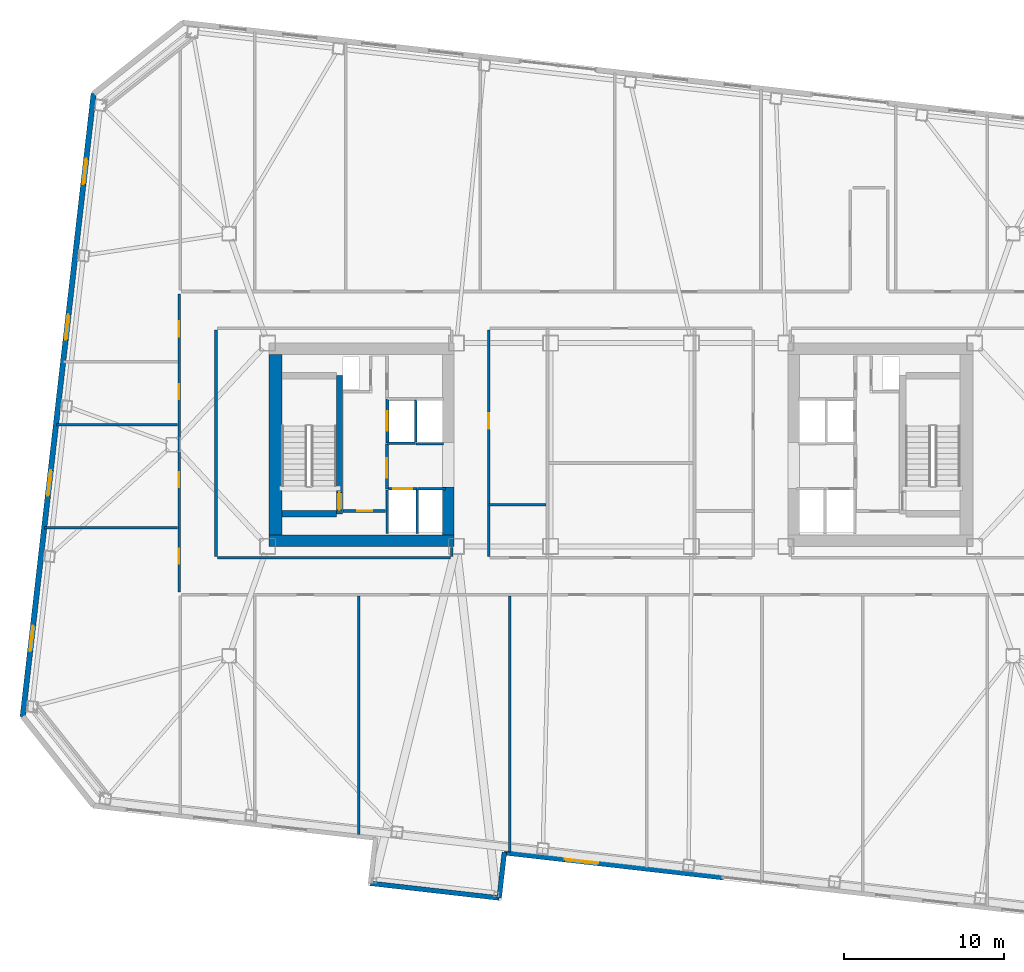
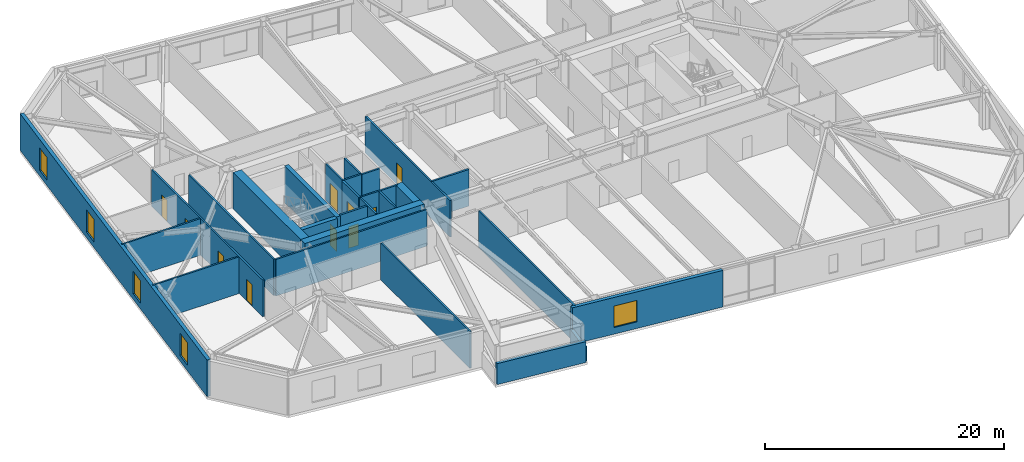
# One storey, part 10 of 19: 29 walls, 10 doors, 5 windows, 15 openings.
"""IFC4 building model written with IfcOpenShell, lengths in metres."""

from ifc_helpers import new_model, si_unit, direction, frame, frame_2d, origin, place, context, subcontext, project, spatial, rectangle, extrude, material, layer, layer_set, type_object, element, fill, save


model = new_model("IFC4")

# Units and contexts
model_context = context("Model", 3, precision=1e-05, world=origin(), true_north=direction((0.0, 1.0)))
body_context = subcontext(model_context, "Body", "Model", "MODEL_VIEW")
ifc_project = project(units=[si_unit("LENGTHUNIT", "METRE"), si_unit("AREAUNIT", "SQUARE_METRE"), si_unit("VOLUMEUNIT", "CUBIC_METRE"), si_unit("PLANEANGLEUNIT", "RADIAN"), si_unit("MASSUNIT", "GRAM", prefix="KILO")], contexts=[model_context])

# Site, building, storey
site_placement = place(None, origin())
site = spatial("IfcSite", under=ifc_project, at=site_placement, CompositionType="ELEMENT")
building_placement = place(site_placement, origin())
building = spatial("IfcBuilding", under=site, at=building_placement, Name="Tavrogorsk Clinical Tower", CompositionType="ELEMENT")
storey_placement = place(building_placement, frame((0.0, 0.0, 97.39990234375)))
storey = spatial("IfcBuildingStorey", under=building, at=storey_placement, Name="L21", CompositionType="ELEMENT", Elevation=97.39990234375)

# Wall, opening, door
ifc_material_1 = material(Name="Concrete B60", Category="concrete")
ifc_layer_1 = layer(ifc_material_1, 0.199951171875)
ifc_layer_set_1 = layer_set([ifc_layer_1], Name="Concrete B60")
wall_type_1 = type_object("IfcWallType", Name="CoreFireWall_200", PredefinedType="SOLIDWALL", material=ifc_layer_set_1)
wall_1_placement = place(storey_placement, frame((-17.3798828125, -4.139892578125, 0.0), z_axis=(0.0, 0.0, 1.0), x_axis=(1.0, 0.0, 0.0)))
wall_1 = element("IfcWall", 1, at=wall_1_placement, inside=storey, type_object=wall_type_1, Name="L21 Core West South Core Room Fire Wall", PredefinedType="SOLIDWALL", context=body_context, shape_type="SweptSolid", body=[
    extrude(rectangle(XDim=2.659912109375, YDim=0.199951171875, at=frame_2d((1.330078125, 0.0))), origin(), (0.0, 0.0, 1.0), 3.739990234375),
])
opening_1_placement = place(wall_1_placement, frame((0.8798828125, 0.0, 0.0)))
opening_1 = element("IfcOpeningElement", 2, at=opening_1_placement, cuts=wall_1, Name="Opening ID-02", PredefinedType="OPENING", context=body_context, shape_type="SweptSolid", body=[
    extrude(rectangle(XDim=0.949951171875, YDim=2.199951171875, at=frame_2d((0.47509765625, 1.10009765625))), frame((0.0, 0.10986328125, 0.0), z_axis=(0.0, -1.0, 0.0), x_axis=(1.0, 0.0, 0.0)), (0.0, 0.0, 1.0), 0.219970703125),
])
ifc_material_2 = material(Name="Laminated timber leaf on aluminium frame", Category="wood")
door_type_1 = type_object("IfcDoorType", Name="InteriorDoor_ID02_950", OperationType="NOTDEFINED", PredefinedType="DOOR", material=ifc_material_2)
door_1_placement = place(opening_1_placement, origin())
door_1 = element("IfcDoor", 3, at=door_1_placement, inside=storey, type_object=door_type_1, Name="L21 Core West South Core Room Door", OperationType="SINGLE_SWING_RIGHT", OverallHeight=2.199951171875, OverallWidth=0.949951171875, PredefinedType="DOOR", context=body_context, shape_type="SweptSolid", body=[
    extrude(rectangle(XDim=0.949951171875, YDim=2.199951171875, at=frame_2d((0.47509765625, 1.10009765625))), frame((0.0, 0.02490234375, 0.0), z_axis=(0.0, -1.0, 0.0), x_axis=(1.0, 0.0, 0.0)), (0.0, 0.0, 1.0), 0.050048828125),
])
fill(opening_1, door_1)

wall_2_placement = place(storey_placement, frame((-14.639892578125, -2.780029296875, 0.0), z_axis=(0.0, 0.0, 1.0), x_axis=(0.0, 1.0, 0.0)))
wall_2 = element("IfcWall", 4, at=wall_2_placement, inside=storey, type_object=wall_type_1, Name="L21 Core West Firefighting Lobby Fire Wall", PredefinedType="SOLIDWALL", context=body_context, shape_type="SweptSolid", body=[
    extrude(rectangle(XDim=2.820068359375, YDim=0.199951171875, at=frame_2d((1.41015625, 0.0))), origin(), (0.0, 0.0, 1.0), 3.739990234375),
])
opening_2_placement = place(wall_2_placement, frame((0.72998046875, 0.0, 0.0)))
opening_2 = element("IfcOpeningElement", 5, at=opening_2_placement, cuts=wall_2, Name="Opening FD-01", PredefinedType="OPENING", context=body_context, shape_type="SweptSolid", body=[
    extrude(rectangle(XDim=1.199951171875, YDim=2.199951171875, at=frame_2d((0.60009765625, 1.10009765625))), frame((0.0, 0.10986328125, 0.0), z_axis=(0.0, -1.0, 0.0), x_axis=(1.0, 0.0, 0.0)), (0.0, 0.0, 1.0), 0.219970703125),
])
ifc_material_3 = material(Name="Galvanised steel fire-rated door assembly", Category="steel")
door_type_2 = type_object("IfcDoorType", Name="FireDoor_FD01_1200", OperationType="NOTDEFINED", PredefinedType="DOOR", material=ifc_material_3)
door_2_placement = place(opening_2_placement, origin())
door_2 = element("IfcDoor", 6, at=door_2_placement, inside=storey, type_object=door_type_2, Name="L21 Core West Firefighting Lobby Entry Door", OperationType="SINGLE_SWING_RIGHT", OverallHeight=2.199951171875, OverallWidth=1.199951171875, PredefinedType="DOOR", context=body_context, shape_type="SweptSolid", body=[
    extrude(rectangle(XDim=1.199951171875, YDim=2.199951171875, at=frame_2d((0.60009765625, 1.10009765625))), frame((0.0, 0.02490234375, 0.0), z_axis=(0.0, -1.0, 0.0), x_axis=(1.0, 0.0, 0.0)), (0.0, 0.0, 1.0), 0.050048828125),
])
fill(opening_2, door_2)

# Wall, openings, doors
ifc_material_4 = material(Name="Lightweight concrete blockwork B15", Category="masonry")
ifc_layer_2 = layer(ifc_material_4, 0.159912109375)
ifc_layer_set_2 = layer_set([ifc_layer_2], Name="Lightweight concrete blockwork B15")
wall_type_2 = type_object("IfcWallType", Name="PartitionWall_160", PredefinedType="PARTITIONING", material=ifc_layer_set_2)
wall_3_placement = place(storey_placement, frame((-27.6298828125, -9.215087890625, 0.0), z_axis=(0.0, 0.0, 1.0), x_axis=(0.0, 1.0, 0.0)))
wall_3 = element("IfcWall", 7, at=wall_3_placement, inside=storey, type_object=wall_type_2, Name="L21 Corridor Partition 01", PredefinedType="PARTITIONING", context=body_context, shape_type="SweptSolid", body=[
    extrude(rectangle(XDim=18.630126953125, YDim=0.159912109375, at=frame_2d((9.31494140625, 0.0))), origin(), (0.0, 0.0, 1.0), 3.739990234375),
])
opening_3_placement = place(wall_3_placement, frame((1.76904296875, 0.0, 0.0)))
opening_3 = element("IfcOpeningElement", 8, at=opening_3_placement, cuts=wall_3, Name="Opening ID-02", PredefinedType="OPENING", context=body_context, shape_type="SweptSolid", body=[
    extrude(rectangle(XDim=0.949951171875, YDim=2.199951171875, at=frame_2d((0.47509765625, 1.10009765625))), frame((0.0, 0.08984375, 0.0), z_axis=(0.0, -1.0, 0.0), x_axis=(1.0, 0.0, 0.0)), (0.0, 0.0, 1.0), 0.179931640625),
])
opening_4_placement = place(wall_3_placement, frame((6.550048828125, 0.0, 0.0)))
opening_4 = element("IfcOpeningElement", 9, at=opening_4_placement, cuts=wall_3, Name="Opening ID-02", PredefinedType="OPENING", context=body_context, shape_type="SweptSolid", body=[
    extrude(rectangle(XDim=0.949951171875, YDim=2.199951171875, at=frame_2d((0.47509765625, 1.10009765625))), frame((0.0, 0.08984375, 0.0), z_axis=(0.0, -1.0, 0.0), x_axis=(1.0, 0.0, 0.0)), (0.0, 0.0, 1.0), 0.179931640625),
])
opening_5_placement = place(wall_3_placement, frame((12.050048828125, 0.0, 0.0)))
opening_5 = element("IfcOpeningElement", 10, at=opening_5_placement, cuts=wall_3, Name="Opening ID-02", PredefinedType="OPENING", context=body_context, shape_type="SweptSolid", body=[
    extrude(rectangle(XDim=0.949951171875, YDim=2.199951171875, at=frame_2d((0.47509765625, 1.10009765625))), frame((0.0, 0.08984375, 0.0), z_axis=(0.0, -1.0, 0.0), x_axis=(1.0, 0.0, 0.0)), (0.0, 0.0, 1.0), 0.179931640625),
])
opening_6_placement = place(wall_3_placement, frame((15.98095703125, 0.0, 0.0)))
opening_6 = element("IfcOpeningElement", 11, at=opening_6_placement, cuts=wall_3, Name="Opening ID-02", PredefinedType="OPENING", context=body_context, shape_type="SweptSolid", body=[
    extrude(rectangle(XDim=0.949951171875, YDim=2.199951171875, at=frame_2d((0.47509765625, 1.10009765625))), frame((0.0, 0.08984375, 0.0), z_axis=(0.0, -1.0, 0.0), x_axis=(1.0, 0.0, 0.0)), (0.0, 0.0, 1.0), 0.179931640625),
])
door_3_placement = place(opening_3_placement, origin())
door_3 = element("IfcDoor", 12, at=door_3_placement, inside=storey, type_object=door_type_1, Name="L21 W Solarium Day Room & Lounge 1 Door", OperationType="SINGLE_SWING_LEFT", OverallHeight=2.199951171875, OverallWidth=0.949951171875, PredefinedType="DOOR", context=body_context, shape_type="SweptSolid", body=[
    extrude(rectangle(XDim=0.949951171875, YDim=2.199951171875, at=frame_2d((0.47509765625, 1.10009765625))), frame((0.0, 0.02490234375, 0.0), z_axis=(0.0, -1.0, 0.0), x_axis=(1.0, 0.0, 0.0)), (0.0, 0.0, 1.0), 0.050048828125),
])
fill(opening_3, door_3)
door_4_placement = place(opening_4_placement, origin())
door_4 = element("IfcDoor", 13, at=door_4_placement, inside=storey, type_object=door_type_1, Name="L21 W Rehabilitation Therapy Suite 2 Door", OperationType="SINGLE_SWING_RIGHT", OverallHeight=2.199951171875, OverallWidth=0.949951171875, PredefinedType="DOOR", context=body_context, shape_type="SweptSolid", body=[
    extrude(rectangle(XDim=0.949951171875, YDim=2.199951171875, at=frame_2d((0.47509765625, 1.10009765625))), frame((0.0, 0.02490234375, 0.0), z_axis=(0.0, -1.0, 0.0), x_axis=(1.0, 0.0, 0.0)), (0.0, 0.0, 1.0), 0.050048828125),
])
fill(opening_4, door_4)
door_5_placement = place(opening_5_placement, origin())
door_5 = element("IfcDoor", 14, at=door_5_placement, inside=storey, type_object=door_type_1, Name="L21 W Sub-Acute Observation Suite 3 Door", OperationType="SINGLE_SWING_LEFT", OverallHeight=2.199951171875, OverallWidth=0.949951171875, PredefinedType="DOOR", context=body_context, shape_type="SweptSolid", body=[
    extrude(rectangle(XDim=0.949951171875, YDim=2.199951171875, at=frame_2d((0.47509765625, 1.10009765625))), frame((0.0, 0.02490234375, 0.0), z_axis=(0.0, -1.0, 0.0), x_axis=(1.0, 0.0, 0.0)), (0.0, 0.0, 1.0), 0.050048828125),
])
fill(opening_5, door_5)
door_6_placement = place(opening_6_placement, origin())
door_6 = element("IfcDoor", 15, at=door_6_placement, inside=storey, type_object=door_type_1, Name="L21 W Family Consultation Lounge 4 Door", OperationType="SINGLE_SWING_RIGHT", OverallHeight=2.199951171875, OverallWidth=0.949951171875, PredefinedType="DOOR", context=body_context, shape_type="SweptSolid", body=[
    extrude(rectangle(XDim=0.949951171875, YDim=2.199951171875, at=frame_2d((0.47509765625, 1.10009765625))), frame((0.0, 0.02490234375, 0.0), z_axis=(0.0, -1.0, 0.0), x_axis=(1.0, 0.0, 0.0)), (0.0, 0.0, 1.0), 0.050048828125),
])
fill(opening_6, door_6)

# Wall, opening, door
wall_4_placement = place(storey_placement, frame((-8.27001953125, 7.18505859375, 0.0), z_axis=(0.0, 0.0, 1.0), x_axis=(0.0, -1.0, 0.0)))
wall_4 = element("IfcWall", 16, at=wall_4_placement, inside=storey, type_object=wall_type_2, Name="L21 Corridor Partition 16", PredefinedType="PARTITIONING", context=body_context, shape_type="SweptSolid", body=[
    extrude(rectangle(XDim=14.170166015625, YDim=0.159912109375, at=frame_2d((7.0849609375, 0.0))), origin(), (0.0, 0.0, 1.0), 3.739990234375),
])
opening_7_placement = place(wall_4_placement, frame((5.22900390625, 0.0, 0.0)))
opening_7 = element("IfcOpeningElement", 17, at=opening_7_placement, cuts=wall_4, Name="Opening ID-02", PredefinedType="OPENING", context=body_context, shape_type="SweptSolid", body=[
    extrude(rectangle(XDim=0.949951171875, YDim=2.199951171875, at=frame_2d((0.47509765625, 1.10009765625))), frame((0.0, 0.08984375, 0.0), z_axis=(0.0, -1.0, 0.0), x_axis=(1.0, 0.0, 0.0)), (0.0, 0.0, 1.0), 0.179931640625),
])
door_7_placement = place(opening_7_placement, origin())
door_7 = element("IfcDoor", 18, at=door_7_placement, inside=storey, type_object=door_type_1, Name="L21 Ward Nourishment Pantry Door", OperationType="SINGLE_SWING_RIGHT", OverallHeight=2.199951171875, OverallWidth=0.949951171875, PredefinedType="DOOR", context=body_context, shape_type="SweptSolid", body=[
    extrude(rectangle(XDim=0.949951171875, YDim=2.199951171875, at=frame_2d((0.47509765625, 1.10009765625))), frame((0.0, 0.02490234375, 0.0), z_axis=(0.0, -1.0, 0.0), x_axis=(1.0, 0.0, 0.0)), (0.0, 0.0, 1.0), 0.050048828125),
])
fill(opening_7, door_7)

# Walls
wall_5_placement = place(storey_placement, frame((-10.580078125, -6.985107421875, 0.0), z_axis=(0.0, 0.0, 1.0), x_axis=(0.0, 1.0, 0.0)))
element("IfcWall", 19, at=wall_5_placement, inside=storey, type_object=wall_type_2, Name="L21 Corridor Partition 18", PredefinedType="PARTITIONING", context=body_context, shape_type="SweptSolid", body=[
    extrude(rectangle(XDim=0.565185546875, YDim=0.159912109375, at=frame_2d((0.28271484375, 0.0))), origin(), (0.0, 0.0, 1.0), 1.53515625),
])
wall_6_placement = place(storey_placement, frame((-25.320068359375, 7.18505859375, 0.0), z_axis=(0.0, 0.0, 1.0), x_axis=(0.0, -1.0, 0.0)))
element("IfcWall", 20, at=wall_6_placement, inside=storey, type_object=wall_type_2, Name="L21 Corridor Partition 21", PredefinedType="PARTITIONING", context=body_context, shape_type="SweptSolid", body=[
    extrude(rectangle(XDim=14.170166015625, YDim=0.159912109375, at=frame_2d((7.0849609375, 0.0))), origin(), (0.0, 0.0, 1.0), 3.739990234375),
])
wall_7_placement = place(storey_placement, frame((-25.235107421875, -7.070068359375, 0.0), z_axis=(0.0, 0.0, 1.0), x_axis=(1.0, 0.0, 0.0)))
element("IfcWall", 21, at=wall_7_placement, inside=storey, type_object=wall_type_2, Name="L21 Corridor Partition 22", PredefinedType="PARTITIONING", context=body_context, shape_type="SweptSolid", body=[
    extrude(rectangle(XDim=14.570068359375, YDim=0.159912109375, at=frame_2d((7.28515625, 0.0))), origin(), (0.0, 0.0, 1.0), 3.739990234375),
])
wall_8_placement = place(storey_placement, frame((-16.386962890625, -24.37841796875, 0.0), z_axis=(0.0, 0.0, 1.0), x_axis=(0.0, 1.0, 0.0)))
element("IfcWall", 22, at=wall_8_placement, inside=storey, type_object=wall_type_2, Name="L21 South Room Partition 2", PredefinedType="PARTITIONING", context=body_context, shape_type="SweptSolid", body=[
    extrude(rectangle(XDim=14.913330078125, YDim=0.159912109375, at=frame_2d((7.45654296875, 0.0))), origin(), (0.0, 0.0, 1.0), 3.739990234375),
])
wall_9_placement = place(storey_placement, frame((-6.944091796875, -25.454345703125, 0.0), z_axis=(0.0, 0.0, 1.0), x_axis=(0.0, 1.0, 0.0)))
element("IfcWall", 23, at=wall_9_placement, inside=storey, type_object=wall_type_2, Name="L21 South Sub-Partition 3", PredefinedType="PARTITIONING", context=body_context, shape_type="SweptSolid", body=[
    extrude(rectangle(XDim=15.9892578125, YDim=0.159912109375, at=frame_2d((7.99462890625, 0.0))), origin(), (0.0, 0.0, 1.0), 3.739990234375),
])
wall_10_placement = place(storey_placement, frame((-36.0419921875, -5.199951171875, 0.0), z_axis=(0.0, 0.0, 1.0), x_axis=(1.0, 0.0, 0.0)))
element("IfcWall", 24, at=wall_10_placement, inside=storey, type_object=wall_type_2, Name="L21 W Wing Divider 1", PredefinedType="PARTITIONING", context=body_context, shape_type="SweptSolid", body=[
    extrude(rectangle(XDim=8.326904296875, YDim=0.159912109375, at=frame_2d((4.16357421875, 0.0))), origin(), (0.0, 0.0, 1.0), 3.739990234375),
])
wall_11_placement = place(storey_placement, frame((-35.30712890625, 1.25, 0.0), z_axis=(0.0, 0.0, 1.0), x_axis=(1.0, 0.0, 0.0)))
element("IfcWall", 25, at=wall_11_placement, inside=storey, type_object=wall_type_2, Name="L21 W Wing Divider 2", PredefinedType="PARTITIONING", context=body_context, shape_type="SweptSolid", body=[
    extrude(rectangle(XDim=7.592041015625, YDim=0.159912109375, at=frame_2d((3.7958984375, 0.0))), origin(), (0.0, 0.0, 1.0), 3.739990234375),
])
ifc_material_5 = material(Name="Lightweight concrete blockwork B20", Category="masonry")
ifc_layer_3 = layer(ifc_material_5, 0.179931640625)
ifc_layer_set_3 = layer_set([ifc_layer_3], Name="Lightweight concrete blockwork B20")
wall_type_3 = type_object("IfcWallType", Name="PartitionWall_180", PredefinedType="PARTITIONING", material=ifc_layer_set_3)
wall_12_placement = place(storey_placement, frame((-8.264892578125, -3.75, 0.0), z_axis=(0.0, 0.0, 1.0), x_axis=(1.0, 0.0, 0.0)))
element("IfcWall", 26, at=wall_12_placement, inside=storey, type_object=wall_type_3, Name="L21 Central Spine Partition 4", PredefinedType="PARTITIONING", context=body_context, shape_type="SweptSolid", body=[
    extrude(rectangle(XDim=3.56982421875, YDim=0.179931640625, at=frame_2d((1.784912109375, 0.0))), origin(), (0.0, 0.0, 1.0), 3.739990234375),
])

# Wall, opening, window
ifc_material_6 = material(Name="Precast concrete B45 with limestone cladding", Category="masonry")
ifc_layer_4 = layer(ifc_material_6, 0.340087890625)
ifc_layer_set_4 = layer_set([ifc_layer_4], Name="Precast concrete B45 with limestone cladding")
wall_type_4 = type_object("IfcWallType", Name="PrecastLimestoneWall_340", PredefinedType="STANDARD", material=ifc_layer_set_4)
wall_13_placement = place(storey_placement, frame((-7.29345703125, -25.48486328125, 0.0), z_axis=(0.0, 0.0, 1.0), x_axis=(0.993571881197, -0.113202989776, 0.0)))
wall_13 = element("IfcWall", 27, at=wall_13_placement, inside=storey, type_object=wall_type_4, Name="L21 S Limestone Facade Wall 2", PredefinedType="STANDARD", context=body_context, shape_type="SweptSolid", body=[
    extrude(rectangle(XDim=13.72705078125, YDim=0.340087890625, at=frame_2d((6.863525390625, 0.0))), origin(), (0.0, 0.0, 1.0), 3.739990234375),
])
opening_8_placement = place(wall_13_placement, frame((3.789306640625, 0.0, 0.669921875)))
opening_8 = element("IfcOpeningElement", 28, at=opening_8_placement, cuts=wall_13, Name="Opening WN-03", PredefinedType="OPENING", context=body_context, shape_type="SweptSolid", body=[
    extrude(rectangle(XDim=2.10009765625, YDim=2.199951171875, at=frame_2d((1.050048828125, 1.10009765625))), frame((0.0, 0.179931640625, 0.0), z_axis=(0.0, -1.0, 0.0), x_axis=(1.0, 0.0, 0.0)), (0.0, 0.0, 1.0), 0.360107421875),
])
ifc_material_7 = material(Name="Thermally broken aluminium frame and triple IGU", Category="aluminium")
window_type_1 = type_object("IfcWindowType", Name="PatientTwinWin_2100x2200", PartitioningType="DOUBLE_PANEL_VERTICAL", PredefinedType="WINDOW", material=ifc_material_7)
window_1_placement = place(opening_8_placement, origin())
window_1 = element("IfcWindow", 29, at=window_1_placement, inside=storey, type_object=window_type_1, Name="L21 S Chicago Window 05", OverallHeight=2.199951171875, OverallWidth=2.10009765625, PartitioningType="SINGLE_PANEL", PredefinedType="WINDOW", context=body_context, shape_type="SweptSolid", body=[
    extrude(rectangle(XDim=2.10009765625, YDim=2.199951171875, at=frame_2d((1.050048828125, 1.10009765625))), frame((0.0, 0.030029296875, 0.0), z_axis=(0.0, -1.0, 0.0), x_axis=(1.0, 0.0, 0.0)), (0.0, 0.0, 1.0), 0.06005859375),
])
fill(opening_8, window_1)

# Wall, openings, windows
wall_14_placement = place(storey_placement, frame((-32.968017578125, 21.95654296875, 0.0), z_axis=(0.0, 0.0, 1.0), x_axis=(-0.113201605824, -0.993572038877, 0.0)))
wall_14 = element("IfcWall", 30, at=wall_14_placement, inside=storey, type_object=wall_type_4, Name="L21 W Pleated Limestone Wing Wall", PredefinedType="STANDARD", context=body_context, shape_type="SweptSolid", body=[
    extrude(rectangle(XDim=39.199951171875, YDim=0.340087890625, at=frame_2d((19.60009765625, 0.0))), origin(), (0.0, 0.0, 1.0), 3.739990234375),
])
opening_9_placement = place(wall_14_placement, frame((4.10009765625, 0.0, 0.580078125)))
opening_9 = element("IfcOpeningElement", 31, at=opening_9_placement, cuts=wall_14, Name="Opening WN-07", PredefinedType="OPENING", context=body_context, shape_type="SweptSolid", body=[
    extrude(rectangle(XDim=1.60009765625, YDim=2.300048828125, at=frame_2d((0.800048828125, 1.14990234375))), frame((0.0, 0.179931640625, 0.0), z_axis=(0.0, -1.0, 0.0), x_axis=(1.0, 0.0, 0.0)), (0.0, 0.0, 1.0), 0.360107421875),
])
opening_10_placement = place(wall_14_placement, frame((13.89990234375, 0.0, 0.580078125)))
opening_10 = element("IfcOpeningElement", 32, at=opening_10_placement, cuts=wall_14, Name="Opening WN-07", PredefinedType="OPENING", context=body_context, shape_type="SweptSolid", body=[
    extrude(rectangle(XDim=1.60009765625, YDim=2.300048828125, at=frame_2d((0.800048828125, 1.14990234375))), frame((0.0, 0.179931640625, 0.0), z_axis=(0.0, -1.0, 0.0), x_axis=(1.0, 0.0, 0.0)), (0.0, 0.0, 1.0), 0.360107421875),
])
opening_11_placement = place(wall_14_placement, frame((23.699951171875, 0.0, 0.580078125)))
opening_11 = element("IfcOpeningElement", 33, at=opening_11_placement, cuts=wall_14, Name="Opening WN-07", PredefinedType="OPENING", context=body_context, shape_type="SweptSolid", body=[
    extrude(rectangle(XDim=1.60009765625, YDim=2.300048828125, at=frame_2d((0.800048828125, 1.14990234375))), frame((0.0, 0.179931640625, 0.0), z_axis=(0.0, -1.0, 0.0), x_axis=(1.0, 0.0, 0.0)), (0.0, 0.0, 1.0), 0.360107421875),
])
opening_12_placement = place(wall_14_placement, frame((33.5, 0.0, 0.580078125)))
opening_12 = element("IfcOpeningElement", 34, at=opening_12_placement, cuts=wall_14, Name="Opening WN-07", PredefinedType="OPENING", context=body_context, shape_type="SweptSolid", body=[
    extrude(rectangle(XDim=1.60009765625, YDim=2.300048828125, at=frame_2d((0.800048828125, 1.14990234375))), frame((0.0, 0.179931640625, 0.0), z_axis=(0.0, -1.0, 0.0), x_axis=(1.0, 0.0, 0.0)), (0.0, 0.0, 1.0), 0.360107421875),
])
ifc_material_8 = material(Name="Thermally broken aluminium frame and triple IGU", Category="aluminium")
window_type_2 = type_object("IfcWindowType", Name="PleatSlotWin_1600x2300", PartitioningType="SINGLE_PANEL", PredefinedType="WINDOW", material=ifc_material_8)
window_2_placement = place(opening_9_placement, origin())
window_2 = element("IfcWindow", 35, at=window_2_placement, inside=storey, type_object=window_type_2, Name="L21 W Pleat Slot Window 1", OverallHeight=2.300048828125, OverallWidth=1.60009765625, PartitioningType="SINGLE_PANEL", PredefinedType="WINDOW", context=body_context, shape_type="SweptSolid", body=[
    extrude(rectangle(XDim=1.60009765625, YDim=2.300048828125, at=frame_2d((0.800048828125, 1.14990234375))), frame((0.0, 0.030029296875, 0.0), z_axis=(0.0, -1.0, 0.0), x_axis=(1.0, 0.0, 0.0)), (0.0, 0.0, 1.0), 0.06005859375),
])
fill(opening_9, window_2)
window_3_placement = place(opening_10_placement, origin())
window_3 = element("IfcWindow", 36, at=window_3_placement, inside=storey, type_object=window_type_2, Name="L21 W Pleat Slot Window 2", OverallHeight=2.300048828125, OverallWidth=1.60009765625, PartitioningType="SINGLE_PANEL", PredefinedType="WINDOW", context=body_context, shape_type="SweptSolid", body=[
    extrude(rectangle(XDim=1.60009765625, YDim=2.300048828125, at=frame_2d((0.800048828125, 1.14990234375))), frame((0.0, 0.030029296875, 0.0), z_axis=(0.0, -1.0, 0.0), x_axis=(1.0, 0.0, 0.0)), (0.0, 0.0, 1.0), 0.06005859375),
])
fill(opening_10, window_3)
window_4_placement = place(opening_11_placement, origin())
window_4 = element("IfcWindow", 37, at=window_4_placement, inside=storey, type_object=window_type_2, Name="L21 W Pleat Slot Window 3", OverallHeight=2.300048828125, OverallWidth=1.60009765625, PartitioningType="SINGLE_PANEL", PredefinedType="WINDOW", context=body_context, shape_type="SweptSolid", body=[
    extrude(rectangle(XDim=1.60009765625, YDim=2.300048828125, at=frame_2d((0.800048828125, 1.14990234375))), frame((0.0, 0.030029296875, 0.0), z_axis=(0.0, -1.0, 0.0), x_axis=(1.0, 0.0, 0.0)), (0.0, 0.0, 1.0), 0.06005859375),
])
fill(opening_11, window_4)
window_5_placement = place(opening_12_placement, origin())
window_5 = element("IfcWindow", 38, at=window_5_placement, inside=storey, type_object=window_type_2, Name="L21 W Pleat Slot Window 4", OverallHeight=2.300048828125, OverallWidth=1.60009765625, PartitioningType="SINGLE_PANEL", PredefinedType="WINDOW", context=body_context, shape_type="SweptSolid", body=[
    extrude(rectangle(XDim=1.60009765625, YDim=2.300048828125, at=frame_2d((0.800048828125, 1.14990234375))), frame((0.0, 0.030029296875, 0.0), z_axis=(0.0, -1.0, 0.0), x_axis=(1.0, 0.0, 0.0)), (0.0, 0.0, 1.0), 0.06005859375),
])
fill(opening_12, window_5)

# Wall
wall_15_placement = place(storey_placement, frame((-15.666259765625, -27.41943359375, 0.0), z_axis=(0.0, 0.0, 1.0), x_axis=(0.993571087422, -0.113209956448, 0.0)))
element("IfcWall", 39, at=wall_15_placement, inside=storey, type_object=wall_type_4, Name="L21 Day-Room Limestone Front DRB-03", PredefinedType="STANDARD", context=body_context, shape_type="SweptSolid", body=[
    extrude(rectangle(XDim=8.099853515625, YDim=0.300048828125, at=frame_2d((4.0498046875, 0.0))), origin(), (0.0, 0.0, 1.0), 2.135009765625),
])

# Wall, opening, door
ifc_material_9 = material(Name="Lightweight concrete blockwork B25", Category="masonry")
ifc_layer_5 = layer(ifc_material_9, 0.159912109375)
ifc_layer_set_5 = layer_set([ifc_layer_5], Name="Lightweight concrete blockwork B25")
wall_type_5 = type_object("IfcWallType", Name="ShaftWall_160", PredefinedType="PARTITIONING", material=ifc_layer_set_5)
wall_16_placement = place(storey_placement, frame((-14.60009765625, 0.1201171875, 0.0), z_axis=(0.0, 0.0, 1.0), x_axis=(0.0, 1.0, 0.0)))
wall_16 = element("IfcWall", 40, at=wall_16_placement, inside=storey, type_object=wall_type_5, Name="L21 FFL-W Firefighting Lift Front Wall", PredefinedType="PARTITIONING", context=body_context, shape_type="SweptSolid", body=[
    extrude(rectangle(XDim=2.739990234375, YDim=0.159912109375, at=frame_2d((1.3701171875, 0.0))), origin(), (0.0, 0.0, 1.0), 3.739990234375),
])
opening_13_placement = place(wall_16_placement, frame((0.77001953125, 0.0, 0.0)))
opening_13 = element("IfcOpeningElement", 41, at=opening_13_placement, cuts=wall_16, Name="Opening LD", PredefinedType="OPENING", context=body_context, shape_type="SweptSolid", body=[
    extrude(rectangle(XDim=1.199951171875, YDim=2.199951171875, at=frame_2d((0.60009765625, 1.10009765625))), frame((0.0, 0.08984375, 0.0), z_axis=(0.0, -1.0, 0.0), x_axis=(1.0, 0.0, 0.0)), (0.0, 0.0, 1.0), 0.179931640625),
])
ifc_material_10 = material(Name="Brushed stainless steel AISI 304 sliding doors", Category="steel")
door_type_3 = type_object("IfcDoorType", Name="LiftLandingDoor_LD_1200", OperationType="SLIDING_TO_LEFT", PredefinedType="DOOR", material=ifc_material_10)
door_8_placement = place(opening_13_placement, origin())
door_8 = element("IfcDoor", 42, at=door_8_placement, inside=storey, type_object=door_type_3, Name="L21 FFL-W Sliding Lift Landing Door", OperationType="SLIDING_TO_LEFT", OverallHeight=2.199951171875, OverallWidth=1.199951171875, PredefinedType="DOOR", context=body_context, shape_type="SweptSolid", body=[
    extrude(rectangle(XDim=1.199951171875, YDim=2.199951171875, at=frame_2d((0.60009765625, 1.10009765625))), frame((0.0, 0.02490234375, 0.0), z_axis=(0.0, -1.0, 0.0), x_axis=(1.0, 0.0, 0.0)), (0.0, 0.0, 1.0), 0.050048828125),
])
fill(opening_13, door_8)

# Walls
wall_17_placement = place(storey_placement, frame((-14.60009765625, 0.10009765625, 0.0), z_axis=(0.0, 0.0, 1.0), x_axis=(1.0, 0.0, 0.0)))
element("IfcWall", 43, at=wall_17_placement, inside=storey, type_object=wall_type_5, Name="L21 FFL-W Shaft South Wall", PredefinedType="PARTITIONING", context=body_context, shape_type="SweptSolid", body=[
    extrude(rectangle(XDim=1.760009765625, YDim=0.159912109375, at=frame_2d((0.8798828125, 0.0))), origin(), (0.0, 0.0, 1.0), 3.739990234375),
])
wall_18_placement = place(storey_placement, frame((-12.840087890625, 0.179931640625, 0.0), z_axis=(0.0, 0.0, 1.0), x_axis=(0.0, 1.0, 0.0)))
element("IfcWall", 44, at=wall_18_placement, inside=storey, type_object=wall_type_5, Name="L21 FFL-W Shaft Back Wall", PredefinedType="PARTITIONING", context=body_context, shape_type="SweptSolid", body=[
    extrude(rectangle(XDim=2.6201171875, YDim=0.159912109375, at=frame_2d((1.31005859375, 0.0))), origin(), (0.0, 0.0, 1.0), 3.739990234375),
])

# Wall, opening, door
wall_19_placement = place(storey_placement, frame((-14.530029296875, -2.75, 0.0), z_axis=(0.0, 0.0, 1.0), x_axis=(1.0, 0.0, 0.0)))
wall_19 = element("IfcWall", 45, at=wall_19_placement, inside=storey, type_object=wall_type_5, Name="L21 LP-L1 Lift Shaft Portal Wall", PredefinedType="PARTITIONING", context=body_context, shape_type="SweptSolid", body=[
    extrude(rectangle(XDim=1.760009765625, YDim=0.159912109375, at=frame_2d((0.8798828125, 0.0))), origin(), (0.0, 0.0, 1.0), 3.739990234375),
])
opening_14_placement = place(wall_19_placement, frame((0.280029296875, 0.0, 0.0)))
opening_14 = element("IfcOpeningElement", 46, at=opening_14_placement, cuts=wall_19, Name="Opening LD", PredefinedType="OPENING", context=body_context, shape_type="SweptSolid", body=[
    extrude(rectangle(XDim=1.199951171875, YDim=2.199951171875, at=frame_2d((0.60009765625, 1.10009765625))), frame((0.0, 0.08984375, 0.0), z_axis=(0.0, -1.0, 0.0), x_axis=(1.0, 0.0, 0.0)), (0.0, 0.0, 1.0), 0.179931640625),
])
door_9_placement = place(opening_14_placement, origin())
door_9 = element("IfcDoor", 47, at=door_9_placement, inside=storey, type_object=door_type_3, Name="L21 LP-L1 Sliding Lift Landing Door", OperationType="SLIDING_TO_LEFT", OverallHeight=2.199951171875, OverallWidth=1.199951171875, PredefinedType="DOOR", context=body_context, shape_type="SweptSolid", body=[
    extrude(rectangle(XDim=1.199951171875, YDim=2.199951171875, at=frame_2d((0.60009765625, 1.10009765625))), frame((0.0, 0.02490234375, 0.0), z_axis=(0.0, -1.0, 0.0), x_axis=(1.0, 0.0, 0.0)), (0.0, 0.0, 1.0), 0.050048828125),
])
fill(opening_14, door_9)

# Walls
for number, where, z_axis, x_axis, name in (
    (48, (-12.75, -5.5400390625, 0.0), (0.0, 0.0, 1.0), (0.0, 1.0, 0.0), "L21 LP-L1 Lift Hoistway Divider Wall"),
    (49, (-14.610107421875, -5.5400390625, 0.0), (0.0, 0.0, 1.0), (0.0, 1.0, 0.0), "L21 LP-L1 Lift Hoistway Outer Cheek Wall"),
):
    element("IfcWall", number, at=place(storey_placement, frame(where, z_axis=z_axis, x_axis=x_axis)), inside=storey, type_object=wall_type_5, Name=name, PredefinedType="PARTITIONING", context=body_context, shape_type="SweptSolid", body=[
        extrude(rectangle(XDim=2.699951171875, YDim=0.159912109375, at=frame_2d((1.35009765625, 0.0))), origin(), (0.0, 0.0, 1.0), 3.739990234375),
    ])
wall_20_placement = place(storey_placement, frame((-12.72998046875, -2.75, 0.0), z_axis=(0.0, 0.0, 1.0), x_axis=(1.0, 0.0, 0.0)))
element("IfcWall", 50, at=wall_20_placement, inside=storey, type_object=wall_type_5, Name="L21 LP-M1 Lift Shaft Portal Wall", PredefinedType="PARTITIONING", context=body_context, shape_type="SweptSolid", body=[
    extrude(rectangle(XDim=1.760009765625, YDim=0.159912109375, at=frame_2d((0.8798828125, 0.0))), origin(), (0.0, 0.0, 1.0), 3.739990234375),
])
wall_21_placement = place(storey_placement, frame((-12.820068359375, 0.06005859375, 0.0), z_axis=(0.0, 0.0, 1.0), x_axis=(1.0, 0.0, 0.0)))
element("IfcWall", 51, at=wall_21_placement, inside=storey, type_object=wall_type_5, Name="L21 LP-H1 High-Zone Lift Portal Wall", PredefinedType="PARTITIONING", context=body_context, shape_type="SweptSolid", body=[
    extrude(rectangle(XDim=1.719970703125, YDim=0.159912109375, at=frame_2d((0.85986328125, 0.0))), origin(), (0.0, 0.0, 1.0), 3.739990234375),
])

# Wall, opening, door
ifc_material_11 = material(Name="Concrete B80", Category="concrete")
ifc_layer_6 = layer(ifc_material_11, 0.39990234375)
ifc_layer_set_6 = layer_set([ifc_layer_6], Name="Concrete B80")
wall_type_6 = type_object("IfcWallType", Name="ShearWall_400", PredefinedType="SHEAR", material=ifc_layer_set_6)
wall_22_placement = place(storey_placement, frame((-17.60009765625, -4.324951171875, 0.0), z_axis=(0.0, 0.0, 1.0), x_axis=(0.0, 1.0, 0.0)))
wall_22 = element("IfcWall", 52, at=wall_22_placement, inside=storey, type_object=wall_type_6, Name="L21 Core West Stair Shaft Inner Shear Wall", PredefinedType="SHEAR", context=body_context, shape_type="SweptSolid", body=[
    extrude(rectangle(XDim=8.64990234375, YDim=0.39990234375, at=frame_2d((4.324951171875, 0.0))), origin(), (0.0, 0.0, 1.0), 3.739990234375),
])
opening_15_placement = place(wall_22_placement, frame((0.25, 0.0, 0.0)))
opening_15 = element("IfcOpeningElement", 53, at=opening_15_placement, cuts=wall_22, Name="Opening SD-01", PredefinedType="OPENING", context=body_context, shape_type="SweptSolid", body=[
    extrude(rectangle(XDim=1.10009765625, YDim=2.199951171875, at=frame_2d((0.550048828125, 1.10009765625))), frame((0.0, 0.2099609375, 0.0), z_axis=(0.0, -1.0, 0.0), x_axis=(1.0, 0.0, 0.0)), (0.0, 0.0, 1.0), 0.419921875),
])
ifc_material_12 = material(Name="Galvanised steel smoke-tight fire door assembly", Category="steel")
door_type_4 = type_object("IfcDoorType", Name="StairFireDoor_SD01_1100", OperationType="NOTDEFINED", PredefinedType="DOOR", material=ifc_material_12)
door_10_placement = place(opening_15_placement, origin())
door_10 = element("IfcDoor", 54, at=door_10_placement, inside=storey, type_object=door_type_4, Name="L21 ST-W Exit Stair Door", OperationType="SINGLE_SWING_RIGHT", OverallHeight=2.199951171875, OverallWidth=1.10009765625, PredefinedType="DOOR", context=body_context, shape_type="SweptSolid", body=[
    extrude(rectangle(XDim=1.10009765625, YDim=2.199951171875, at=frame_2d((0.550048828125, 1.10009765625))), frame((0.0, 0.02490234375, 0.0), z_axis=(0.0, -1.0, 0.0), x_axis=(1.0, 0.0, 0.0)), (0.0, 0.0, 1.0), 0.050048828125),
])
fill(opening_15, door_10)

# Walls
wall_23_placement = place(storey_placement, frame((-21.199951171875, -4.324951171875, 0.0), z_axis=(0.0, 0.0, 1.0), x_axis=(1.0, 0.0, 0.0)))
element("IfcWall", 55, at=wall_23_placement, inside=storey, type_object=wall_type_6, Name="L21 Core West Stair Shaft South Shear Wall", PredefinedType="SHEAR", context=body_context, shape_type="SweptSolid", body=[
    extrude(rectangle(XDim=3.39990234375, YDim=0.39990234375, at=frame_2d((1.699951171875, 0.0))), origin(), (0.0, 0.0, 1.0), 3.739990234375),
])
ifc_material_13 = material(Name="Concrete B80", Category="concrete")
ifc_layer_7 = layer(ifc_material_13, 0.699951171875)
ifc_layer_set_7 = layer_set([ifc_layer_7], Name="Concrete B80")
wall_type_7 = type_object("IfcWallType", Name="ShearWall_700", PredefinedType="SHEAR", material=ifc_layer_set_7)
wall_24_placement = place(storey_placement, frame((-22.0, -6.0, 0.0), z_axis=(0.0, 0.0, 1.0), x_axis=(1.0, 0.0, 0.0)))
element("IfcWall", 56, at=wall_24_placement, inside=storey, type_object=wall_type_7, Name="L21 Core West South Shear Wall", PredefinedType="SHEAR", context=body_context, shape_type="SweptSolid", body=[
    extrude(rectangle(XDim=11.550048828125, YDim=0.699951171875, at=frame_2d((5.77490234375, 0.0))), origin(), (0.0, 0.0, 1.0), 3.739990234375),
])
wall_25_placement = place(storey_placement, frame((-10.800048828125, -5.64990234375, 0.0), z_axis=(0.0, 0.0, 1.0), x_axis=(0.0, 1.0, 0.0)))
element("IfcWall", 57, at=wall_25_placement, inside=storey, type_object=wall_type_7, Name="L21 Core West Inner South Pier", PredefinedType="SHEAR", context=body_context, shape_type="SweptSolid", body=[
    extrude(rectangle(XDim=3.0, YDim=0.699951171875, at=frame_2d((1.5, 0.0))), origin(), (0.0, 0.0, 1.0), 3.739990234375),
])
ifc_material_14 = material(Name="Concrete B80", Category="concrete")
ifc_layer_8 = layer(ifc_material_14, 0.800048828125)
ifc_layer_set_8 = layer_set([ifc_layer_8], Name="Concrete B80")
wall_type_8 = type_object("IfcWallType", Name="ShearWall_800", PredefinedType="SHEAR", material=ifc_layer_set_8)
wall_26_placement = place(storey_placement, frame((-21.60009765625, -5.64990234375, 0.0), z_axis=(0.0, 0.0, 1.0), x_axis=(0.0, 1.0, 0.0)))
element("IfcWall", 58, at=wall_26_placement, inside=storey, type_object=wall_type_8, Name="L21 Core West End Shear Wall", PredefinedType="SHEAR", context=body_context, shape_type="SweptSolid", body=[
    extrude(rectangle(XDim=11.2998046875, YDim=0.800048828125, at=frame_2d((5.64990234375, 0.0))), origin(), (0.0, 0.0, 1.0), 3.739990234375),
])
ifc_material_15 = material(Name="Precast concrete B45 with mineral wool", Category="concrete")
ifc_layer_9 = layer(ifc_material_15, 0.300048828125)
ifc_layer_set_9 = layer_set([ifc_layer_9], Name="Precast concrete B45 with mineral wool")
wall_type_9 = type_object("IfcWallType", Name="SpandrelBackWall_300", PredefinedType="STANDARD", material=ifc_layer_set_9)
wall_27_placement = place(storey_placement, frame((-7.29345703125, -25.48486328125, 0.0), z_axis=(0.0, 0.0, 1.0), x_axis=(-0.113222704107, -0.993569634839, 0.0)))
element("IfcWall", 59, at=wall_27_placement, inside=storey, type_object=wall_type_9, Name="L21 Day-Room Cheek Wall DRB-03-R", PredefinedType="STANDARD", context=body_context, shape_type="SweptSolid", body=[
    extrude(rectangle(XDim=2.8701171875, YDim=0.300048828125, at=frame_2d((1.43505859375, 0.0))), origin(), (0.0, 0.0, 1.0), 1.53515625),
])

save(model, "model.ifc")
